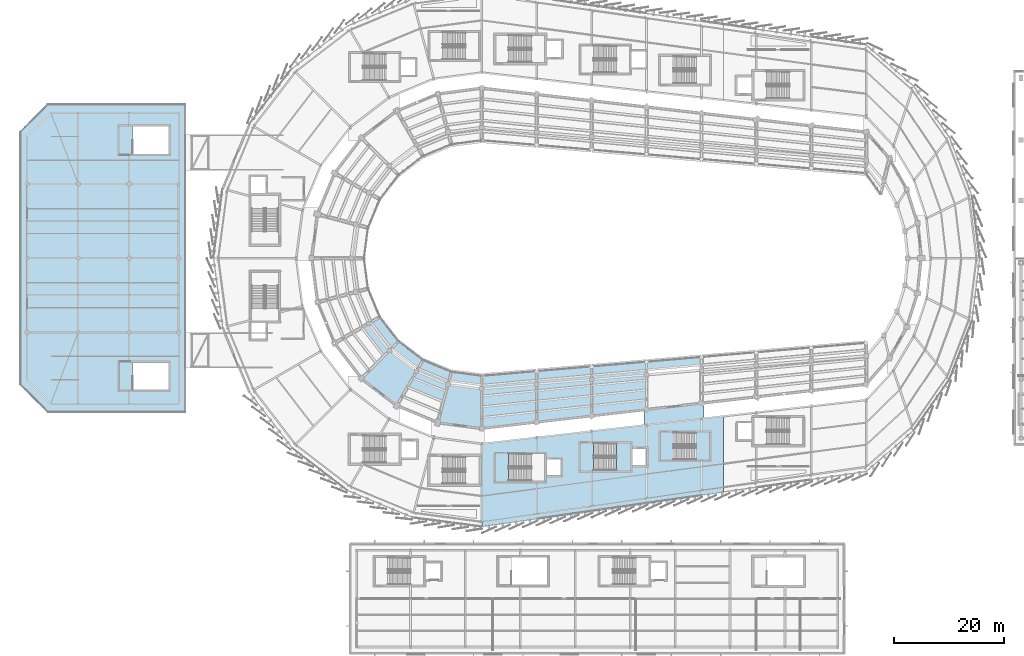
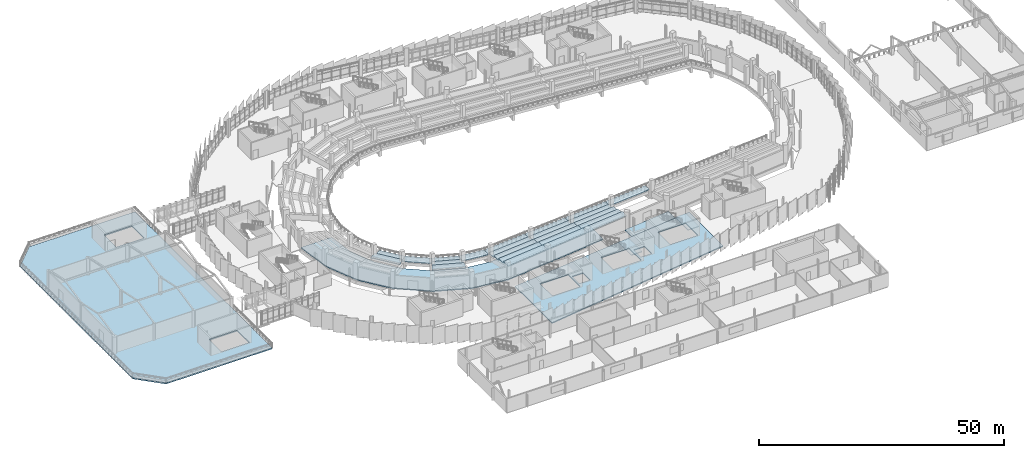
# One storey, part 81 of 120: 29 slabs, 2 elements without a shape of their own.
"""IFC4 building model written with IfcOpenShell, lengths in metres."""

from ifc_helpers import new_model, si_unit, direction, frame, origin, place, context, subcontext, project, spatial, polyline, outline, extrude, material, layer, layer_set, type_object, element, aggregate, save


model = new_model("IFC4")

# Units and contexts
model_context = context("Model", 3, precision=1e-05, world=origin(), true_north=direction((0.0, 1.0)))
body_context = subcontext(model_context, "Body", "Model", "MODEL_VIEW")
ifc_project = project(units=[si_unit("LENGTHUNIT", "METRE"), si_unit("AREAUNIT", "SQUARE_METRE"), si_unit("VOLUMEUNIT", "CUBIC_METRE"), si_unit("PLANEANGLEUNIT", "RADIAN"), si_unit("MASSUNIT", "GRAM", prefix="KILO")], contexts=[model_context])

# Site, building, storey
site_placement = place(None, origin())
site = spatial("IfcSite", under=ifc_project, at=site_placement, CompositionType="ELEMENT")
building_placement = place(site_placement, origin())
building = spatial("IfcBuilding", under=site, at=building_placement, Name="Sohan Crest Arena", CompositionType="ELEMENT")
storey_placement = place(building_placement, frame((0.0, 0.0, 13.5)))
storey = spatial("IfcBuildingStorey", under=building, at=storey_placement, Name="L03", CompositionType="ELEMENT", Elevation=13.5)

# Slabs
ifc_material_1 = material(Name="Concrete C40/50", Category="concrete")
ifc_layer_1 = layer(ifc_material_1, 0.25, Name="Concrete C40/50")
ifc_layer_set_1 = layer_set([ifc_layer_1], Name="Concrete C40/50")
slab_type_1 = type_object("IfcSlabType", Name="SL-FLR3", PredefinedType="FLOOR", material=ifc_layer_set_1)
slab_1_placement = place(storey_placement, frame((0.0, 0.0, -0.25)))
element("IfcSlab", 1, at=slab_1_placement, inside=storey, type_object=slab_type_1, Name="Bowl vomitory ring L03 Q3 SL-L03-V1Q3", PredefinedType="FLOOR", context=body_context, shape_type="SweptSolid", body=[
    extrude(outline(polyline([(122.0, 49.742919921875), (98.0, 47.0), (89.97705078125, 48.055908203125), (82.5, 51.153076171875), (76.080078125, 56.080078125), (71.153076171875, 62.5), (68.055908203125, 69.97705078125), (67.0, 78.0), (74.199951171875, 78.0), (75.010986328125, 71.840087890625), (77.388916015625, 66.10009765625), (81.1708984375, 61.1708984375), (86.10009765625, 57.388916015625), (91.840087890625, 55.010986328125), (98.0, 54.199951171875), (122.0, 56.257080078125), (122.0, 49.742919921875)])), origin(), (0.0, 0.0, 1.0), 0.25),
])
slab_2_placement = place(storey_placement, frame((0.0, 0.0, -0.25)))
element("IfcSlab", 2, at=slab_2_placement, inside=storey, type_object=slab_type_1, Name="Concourse ring L03 sector 4 SL-L03-V2S4", PredefinedType="FLOOR", context=body_context, shape_type="SweptSolid", body=[
    extrude(outline(polyline([(142.0, 35.385986328125), (98.0, 29.10009765625), (98.0, 44.199951171875), (142.0, 49.22802734375), (142.0, 35.385986328125)]), holes=[polyline([(109.449951171875, 42.39990234375), (102.8701171875, 42.39990234375), (102.8701171875, 37.39990234375), (109.449951171875, 37.39990234375), (109.449951171875, 42.39990234375)]), polyline([(112.39990234375, 38.449951171875), (112.39990234375, 41.35009765625), (109.800048828125, 41.35009765625), (109.800048828125, 38.449951171875), (112.39990234375, 38.449951171875)]), polyline([(124.949951171875, 44.300048828125), (118.3701171875, 44.300048828125), (118.3701171875, 39.300048828125), (124.949951171875, 39.300048828125), (124.949951171875, 44.300048828125)]), polyline([(128.0, 40.35009765625), (128.0, 43.25), (125.39990234375, 43.25), (125.39990234375, 40.35009765625), (128.0, 40.35009765625)]), polyline([(132.8701171875, 41.25), (139.449951171875, 41.25), (139.449951171875, 46.25), (132.8701171875, 46.25), (132.8701171875, 41.25)])]), origin(), (0.0, 0.0, 1.0), 0.25),
])
slab_3_placement = place(storey_placement, frame((0.0, 0.0, -0.25)))
element("IfcSlab", 3, at=slab_3_placement, inside=storey, type_object=slab_type_1, Name="Seismic joint threshold slab L03 SL-TH-L03-15", PredefinedType="FLOOR", context=body_context, shape_type="SweptSolid", body=[
    extrude(outline(polyline([(138.5, 48.827880859375), (127.5, 47.572021484375), (127.5, 50.3720703125), (138.5, 51.6279296875), (138.5, 48.827880859375)])), origin(), (0.0, 0.0, 1.0), 0.25),
])

# Stair, slab
stair_type_1 = type_object("IfcStairType", Name="ST-450", PredefinedType="TWO_STRAIGHT_RUN_STAIR", material=ifc_material_1)
stair_1_placement = place(storey_placement, origin())
stair_1 = element("IfcStair", 4, at=stair_1_placement, inside=storey, type_object=stair_type_1, Name="Protected exit stair ST07-L03", PredefinedType="TWO_STRAIGHT_RUN_STAIR")
ifc_layer_2 = layer(ifc_material_1, 0.199951171875, Name="Concrete C40/50")
ifc_layer_set_2 = layer_set([ifc_layer_2], Name="Concrete C40/50")
slab_type_2 = type_object("IfcSlabType", Name="SL-LND1", PredefinedType="LANDING", material=ifc_layer_set_2)
slab_4_placement = place(storey_placement, frame((0.0, 0.0, 2.050048828125)))
slab_4 = element("IfcSlab", 5, at=slab_4_placement, type_object=slab_type_2, Name="ST07-L03 landing 1", PredefinedType="LANDING", context=body_context, shape_type="SweptSolid", body=[
    extrude(outline(polyline([(122.530029296875, 39.14990234375), (125.10009765625, 39.14990234375), (125.10009765625, 44.449951171875), (122.530029296875, 44.449951171875), (122.530029296875, 39.14990234375)])), origin(), (0.0, 0.0, 1.0), 0.199951171875),
])
aggregate(stair_1, [slab_4])

stair_type_2 = type_object("IfcStairType", Name="ST-450W", PredefinedType="TWO_STRAIGHT_RUN_STAIR", material=ifc_material_1)
stair_2_placement = place(storey_placement, origin())
stair_2 = element("IfcStair", 6, at=stair_2_placement, inside=storey, type_object=stair_type_2, Name="Protected exit stair ST21-L03", PredefinedType="TWO_STRAIGHT_RUN_STAIR")
slab_5_placement = place(storey_placement, frame((0.0, 0.0, 2.050048828125)))
slab_5 = element("IfcSlab", 7, at=slab_5_placement, type_object=slab_type_2, Name="ST21-L03 landing 1", PredefinedType="LANDING", context=body_context, shape_type="SweptSolid", body=[
    extrude(outline(polyline([(137.030029296875, 41.10009765625), (139.60009765625, 41.10009765625), (139.60009765625, 46.39990234375), (137.030029296875, 46.39990234375), (137.030029296875, 41.10009765625)])), origin(), (0.0, 0.0, 1.0), 0.199951171875),
])
aggregate(stair_2, [slab_5])

# Slabs
ifc_layer_3 = layer(ifc_material_1, 0.31494140625, Name="Concrete C40/50")
ifc_layer_set_3 = layer_set([ifc_layer_3], Name="Concrete C40/50")
slab_type_3 = type_object("IfcSlabType", Name="SL-TER1", PredefinedType="FLOOR", material=ifc_layer_set_3)
slab_6_placement = place(storey_placement, frame((0.0, 0.0, -0.31494140625)))
element("IfcSlab", 8, at=slab_6_placement, inside=storey, type_object=slab_type_3, Name="Entrance foyer L03 planted roof garden terrace SL-L03-V3TER", PredefinedType="FLOOR", context=body_context, shape_type="SweptSolid", body=[
    extrude(outline(polyline([(14.0, 101.0), (19.0, 106.0), (44.0, 106.0), (44.0, 50.0), (19.0, 50.0), (14.0, 55.0), (14.0, 101.0)]), holes=[polyline([(34.3701171875, 59.0), (34.3701171875, 54.0), (40.949951171875, 54.0), (40.949951171875, 59.0), (34.3701171875, 59.0)]), polyline([(40.949951171875, 102.0), (34.3701171875, 102.0), (34.3701171875, 97.0), (40.949951171875, 97.0), (40.949951171875, 102.0)])]), origin(), (0.0, 0.0, 1.0), 0.31494140625),
])
ifc_material_2 = material(Name="Precast concrete C50/60", Category="concrete")
ifc_layer_4 = layer(ifc_material_2, 0.205078125, Name="Precast concrete C50/60")
ifc_layer_set_4 = layer_set([ifc_layer_4], Name="Precast concrete C50/60")
slab_type_4 = type_object("IfcSlabType", Name="SL-TIER2", PredefinedType="USERDEFINED", material=ifc_layer_set_4)
slab_7_placement = place(storey_placement, frame((0.0, 0.0, 1.2109375)))
element("IfcSlab", 9, at=slab_7_placement, inside=storey, type_object=slab_type_4, Name="Upper cantilevered precast seating tier ST-UPP-074", ObjectType="SEATING TIER", PredefinedType="USERDEFINED", context=body_context, shape_type="SweptSolid", body=[
    extrude(outline(polyline([(79.381103515625, 67.39990234375), (82.797119140625, 63.009033203125), (81.508056640625, 61.678955078125), (77.801025390625, 66.458984375), (79.381103515625, 67.39990234375)])), origin(), (0.0, 0.0, 1.0), 0.205078125),
])
slab_8_placement = place(storey_placement, frame((0.0, 0.0, 1.6708984375)))
element("IfcSlab", 10, at=slab_8_placement, inside=storey, type_object=slab_type_4, Name="Upper cantilevered precast seating tier ST-UPP-075", ObjectType="SEATING TIER", PredefinedType="USERDEFINED", context=body_context, shape_type="SweptSolid", body=[
    extrude(outline(polyline([(77.735107421875, 66.419921875), (81.4541015625, 61.6240234375), (80.1640625, 60.29296875), (76.156005859375, 65.47900390625), (77.735107421875, 66.419921875)])), origin(), (0.0, 0.0, 1.0), 0.205078125),
])
slab_9_placement = place(storey_placement, frame((0.0, 0.0, 1.2109375)))
element("IfcSlab", 11, at=slab_9_placement, inside=storey, type_object=slab_type_4, Name="Upper cantilevered precast seating tier ST-UPP-082", ObjectType="SEATING TIER", PredefinedType="USERDEFINED", context=body_context, shape_type="SweptSolid", body=[
    extrude(outline(polyline([(82.797119140625, 63.009033203125), (87.25, 59.64111328125), (86.337890625, 58.010986328125), (81.508056640625, 61.678955078125), (82.797119140625, 63.009033203125)])), origin(), (0.0, 0.0, 1.0), 0.205078125),
])
slab_10_placement = place(storey_placement, frame((0.0, 0.0, 1.2109375)))
element("IfcSlab", 12, at=slab_10_placement, inside=storey, type_object=slab_type_4, Name="Upper cantilevered precast seating tier ST-UPP-088", ObjectType="SEATING TIER", PredefinedType="USERDEFINED", context=body_context, shape_type="SweptSolid", body=[
    extrude(outline(polyline([(87.25, 59.64111328125), (92.43505859375, 57.52197265625), (91.962890625, 55.705078125), (86.337890625, 58.010986328125), (87.25, 59.64111328125)])), origin(), (0.0, 0.0, 1.0), 0.205078125),
])
slab_11_placement = place(storey_placement, frame((0.0, 0.0, 1.6708984375)))
element("IfcSlab", 13, at=slab_11_placement, inside=storey, type_object=slab_type_4, Name="Upper cantilevered precast seating tier ST-UPP-089", ObjectType="SEATING TIER", PredefinedType="USERDEFINED", context=body_context, shape_type="SweptSolid", body=[
    extrude(outline(polyline([(86.300048828125, 57.943115234375), (91.944091796875, 55.62890625), (91.471923828125, 53.81201171875), (85.387939453125, 56.31298828125), (86.300048828125, 57.943115234375)])), origin(), (0.0, 0.0, 1.0), 0.205078125),
])
slab_12_placement = place(storey_placement, frame((0.0, 0.0, 1.2109375)))
element("IfcSlab", 14, at=slab_12_placement, inside=storey, type_object=slab_type_4, Name="Upper cantilevered precast seating tier ST-UPP-096", ObjectType="SEATING TIER", PredefinedType="USERDEFINED", context=body_context, shape_type="SweptSolid", body=[
    extrude(outline(polyline([(92.43505859375, 57.52197265625), (98.0, 56.800048828125), (98.0, 54.91796875), (91.962890625, 55.705078125), (92.43505859375, 57.52197265625)])), origin(), (0.0, 0.0, 1.0), 0.205078125),
])
slab_13_placement = place(storey_placement, frame((0.0, 0.0, 1.2109375)))
element("IfcSlab", 15, at=slab_13_placement, inside=storey, type_object=slab_type_4, Name="Upper cantilevered precast seating tier ST-UPP-102", ObjectType="SEATING TIER", PredefinedType="USERDEFINED", context=body_context, shape_type="SweptSolid", body=[
    extrude(outline(polyline([(98.0, 56.800048828125), (108.0, 57.656982421875), (108.0, 55.830078125), (98.0, 54.91796875), (98.0, 56.800048828125)])), origin(), (0.0, 0.0, 1.0), 0.205078125),
])
slab_14_placement = place(storey_placement, frame((0.0, 0.0, 1.6708984375)))
element("IfcSlab", 16, at=slab_14_placement, inside=storey, type_object=slab_type_4, Name="Upper cantilevered precast seating tier ST-UPP-103", ObjectType="SEATING TIER", PredefinedType="USERDEFINED", context=body_context, shape_type="SweptSolid", body=[
    extrude(outline(polyline([(98.0, 54.840087890625), (108.0, 55.75390625), (108.0, 53.927978515625), (98.0, 52.9580078125), (98.0, 54.840087890625)])), origin(), (0.0, 0.0, 1.0), 0.205078125),
])
slab_15_placement = place(storey_placement, frame((0.0, 0.0, 1.2109375)))
element("IfcSlab", 17, at=slab_15_placement, inside=storey, type_object=slab_type_4, Name="Upper cantilevered precast seating tier ST-UPP-112", ObjectType="SEATING TIER", PredefinedType="USERDEFINED", context=body_context, shape_type="SweptSolid", body=[
    extrude(outline(polyline([(108.0, 57.656982421875), (118.0, 58.513916015625), (118.0, 56.741943359375), (108.0, 55.830078125), (108.0, 57.656982421875)])), origin(), (0.0, 0.0, 1.0), 0.205078125),
])
slab_16_placement = place(storey_placement, frame((0.0, 0.0, 1.6708984375)))
element("IfcSlab", 18, at=slab_16_placement, inside=storey, type_object=slab_type_4, Name="Upper cantilevered precast seating tier ST-UPP-113", ObjectType="SEATING TIER", PredefinedType="USERDEFINED", context=body_context, shape_type="SweptSolid", body=[
    extrude(outline(polyline([(108.0, 55.75390625), (118.0, 56.66796875), (118.0, 54.89697265625), (108.0, 53.927978515625), (108.0, 55.75390625)])), origin(), (0.0, 0.0, 1.0), 0.205078125),
])
slab_17_placement = place(storey_placement, frame((0.0, 0.0, 1.2109375)))
element("IfcSlab", 19, at=slab_17_placement, inside=storey, type_object=slab_type_4, Name="Upper cantilevered precast seating tier ST-UPP-122", ObjectType="SEATING TIER", PredefinedType="USERDEFINED", context=body_context, shape_type="SweptSolid", body=[
    extrude(outline(polyline([(118.0, 58.513916015625), (128.0, 59.37109375), (128.0, 57.654052734375), (118.0, 56.741943359375), (118.0, 58.513916015625)])), origin(), (0.0, 0.0, 1.0), 0.205078125),
])
slab_18_placement = place(storey_placement, frame((0.0, 0.0, 1.6708984375)))
element("IfcSlab", 20, at=slab_18_placement, inside=storey, type_object=slab_type_4, Name="Upper cantilevered precast seating tier ST-UPP-123", ObjectType="SEATING TIER", PredefinedType="USERDEFINED", context=body_context, shape_type="SweptSolid", body=[
    extrude(outline(polyline([(118.0, 56.66796875), (128.0, 57.5830078125), (128.0, 55.865966796875), (118.0, 54.89697265625), (118.0, 56.66796875)])), origin(), (0.0, 0.0, 1.0), 0.205078125),
])
slab_19_placement = place(storey_placement, frame((0.0, 0.0, 1.2109375)))
element("IfcSlab", 21, at=slab_19_placement, inside=storey, type_object=slab_type_4, Name="Upper cantilevered precast seating tier ST-UPP-130", ObjectType="SEATING TIER", PredefinedType="USERDEFINED", context=body_context, shape_type="SweptSolid", body=[
    extrude(outline(polyline([(128.0, 59.37109375), (138.0, 60.22900390625), (138.0, 58.56689453125), (128.0, 57.654052734375), (128.0, 59.37109375)])), origin(), (0.0, 0.0, 1.0), 0.205078125),
])
ifc_layer_5 = layer(ifc_material_2, 0.235107421875, Name="Precast concrete C50/60")
ifc_layer_set_5 = layer_set([ifc_layer_5], Name="Precast concrete C50/60")
slab_type_5 = type_object("IfcSlabType", Name="SL-TIER3", PredefinedType="USERDEFINED", material=ifc_layer_set_5)
slab_20_placement = place(storey_placement, frame((0.0, 0.0, 2.131103515625)))
element("IfcSlab", 22, at=slab_20_placement, inside=storey, type_object=slab_type_5, Name="Upper cantilevered precast seating tier ST-UPP-090", ObjectType="SEATING TIER", PredefinedType="USERDEFINED", context=body_context, shape_type="SweptSolid", body=[
    extrude(outline(polyline([(85.35009765625, 56.24609375), (91.451904296875, 53.736083984375), (90.97998046875, 51.91796875), (84.43798828125, 54.615966796875), (85.35009765625, 56.24609375)])), origin(), (0.0, 0.0, 1.0), 0.23486328125),
])
slab_21_placement = place(storey_placement, frame((0.0, 0.0, 2.131103515625)))
element("IfcSlab", 23, at=slab_21_placement, inside=storey, type_object=slab_type_5, Name="Upper cantilevered precast seating tier ST-UPP-104", ObjectType="SEATING TIER", PredefinedType="USERDEFINED", context=body_context, shape_type="SweptSolid", body=[
    extrude(outline(polyline([(98.0, 52.8798828125), (108.0, 53.85107421875), (108.0, 52.02490234375), (98.0, 50.998046875), (98.0, 52.8798828125)])), origin(), (0.0, 0.0, 1.0), 0.23486328125),
])
slab_22_placement = place(storey_placement, frame((0.0, 0.0, 2.591064453125)))
element("IfcSlab", 24, at=slab_22_placement, inside=storey, type_object=slab_type_5, Name="Upper cantilevered precast seating tier ST-UPP-105", ObjectType="SEATING TIER", PredefinedType="USERDEFINED", context=body_context, shape_type="SweptSolid", body=[
    extrude(outline(polyline([(98.0, 50.919921875), (108.0, 51.948974609375), (108.0, 50.1220703125), (98.0, 49.0380859375), (98.0, 50.919921875)])), origin(), (0.0, 0.0, 1.0), 0.23486328125),
])
slab_23_placement = place(storey_placement, frame((0.0, 0.0, 3.051025390625)))
element("IfcSlab", 25, at=slab_23_placement, inside=storey, type_object=slab_type_5, Name="Upper cantilevered precast seating tier ST-UPP-106", ObjectType="SEATING TIER", PredefinedType="USERDEFINED", context=body_context, shape_type="SweptSolid", body=[
    extrude(outline(polyline([(98.0, 48.9599609375), (108.0, 50.0458984375), (108.0, 48.218994140625), (98.0, 47.077880859375), (98.0, 48.9599609375)])), origin(), (0.0, 0.0, 1.0), 0.23486328125),
])
slab_24_placement = place(storey_placement, frame((0.0, 0.0, 2.131103515625)))
element("IfcSlab", 26, at=slab_24_placement, inside=storey, type_object=slab_type_5, Name="Upper cantilevered precast seating tier ST-UPP-114", ObjectType="SEATING TIER", PredefinedType="USERDEFINED", context=body_context, shape_type="SweptSolid", body=[
    extrude(outline(polyline([(108.0, 53.85107421875), (118.0, 54.822998046875), (118.0, 53.051025390625), (108.0, 52.02490234375), (108.0, 53.85107421875)])), origin(), (0.0, 0.0, 1.0), 0.23486328125),
])
slab_25_placement = place(storey_placement, frame((0.0, 0.0, 2.591064453125)))
element("IfcSlab", 27, at=slab_25_placement, inside=storey, type_object=slab_type_5, Name="Upper cantilevered precast seating tier ST-UPP-115", ObjectType="SEATING TIER", PredefinedType="USERDEFINED", context=body_context, shape_type="SweptSolid", body=[
    extrude(outline(polyline([(108.0, 51.948974609375), (118.0, 52.97705078125), (118.0, 51.205078125), (108.0, 50.1220703125), (108.0, 51.948974609375)])), origin(), (0.0, 0.0, 1.0), 0.23486328125),
])
slab_26_placement = place(storey_placement, frame((0.0, 0.0, 3.051025390625)))
element("IfcSlab", 28, at=slab_26_placement, inside=storey, type_object=slab_type_5, Name="Upper cantilevered precast seating tier ST-UPP-116", ObjectType="SEATING TIER", PredefinedType="USERDEFINED", context=body_context, shape_type="SweptSolid", body=[
    extrude(outline(polyline([(108.0, 50.0458984375), (118.0, 51.132080078125), (118.0, 49.360107421875), (108.0, 48.218994140625), (108.0, 50.0458984375)])), origin(), (0.0, 0.0, 1.0), 0.23486328125),
])
slab_27_placement = place(storey_placement, frame((0.0, 0.0, 2.131103515625)))
element("IfcSlab", 29, at=slab_27_placement, inside=storey, type_object=slab_type_5, Name="Upper cantilevered precast seating tier ST-UPP-124", ObjectType="SEATING TIER", PredefinedType="USERDEFINED", context=body_context, shape_type="SweptSolid", body=[
    extrude(outline(polyline([(118.0, 54.822998046875), (128.0, 55.7939453125), (128.0, 54.076904296875), (118.0, 53.051025390625), (118.0, 54.822998046875)])), origin(), (0.0, 0.0, 1.0), 0.23486328125),
])
slab_28_placement = place(storey_placement, frame((0.0, 0.0, 2.591064453125)))
element("IfcSlab", 30, at=slab_28_placement, inside=storey, type_object=slab_type_5, Name="Upper cantilevered precast seating tier ST-UPP-125", ObjectType="SEATING TIER", PredefinedType="USERDEFINED", context=body_context, shape_type="SweptSolid", body=[
    extrude(outline(polyline([(118.0, 52.97705078125), (128.0, 54.006103515625), (128.0, 52.2890625), (118.0, 51.205078125), (118.0, 52.97705078125)])), origin(), (0.0, 0.0, 1.0), 0.23486328125),
])
slab_29_placement = place(storey_placement, frame((0.0, 0.0, 3.051025390625)))
element("IfcSlab", 31, at=slab_29_placement, inside=storey, type_object=slab_type_5, Name="Upper cantilevered precast seating tier ST-UPP-126", ObjectType="SEATING TIER", PredefinedType="USERDEFINED", context=body_context, shape_type="SweptSolid", body=[
    extrude(outline(polyline([(118.0, 51.132080078125), (128.0, 52.217041015625), (128.0, 50.5009765625), (118.0, 49.360107421875), (118.0, 51.132080078125)])), origin(), (0.0, 0.0, 1.0), 0.23486328125),
])

save(model, "model.ifc")
